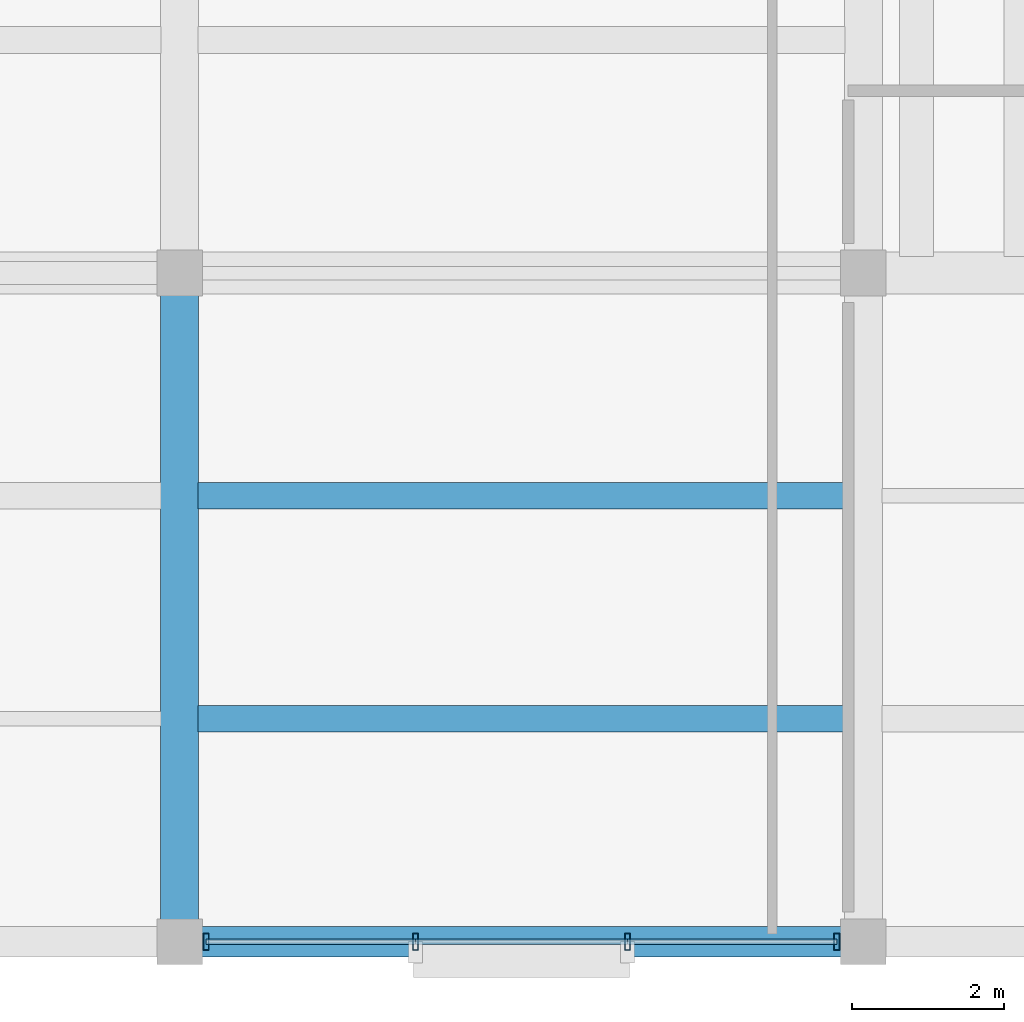
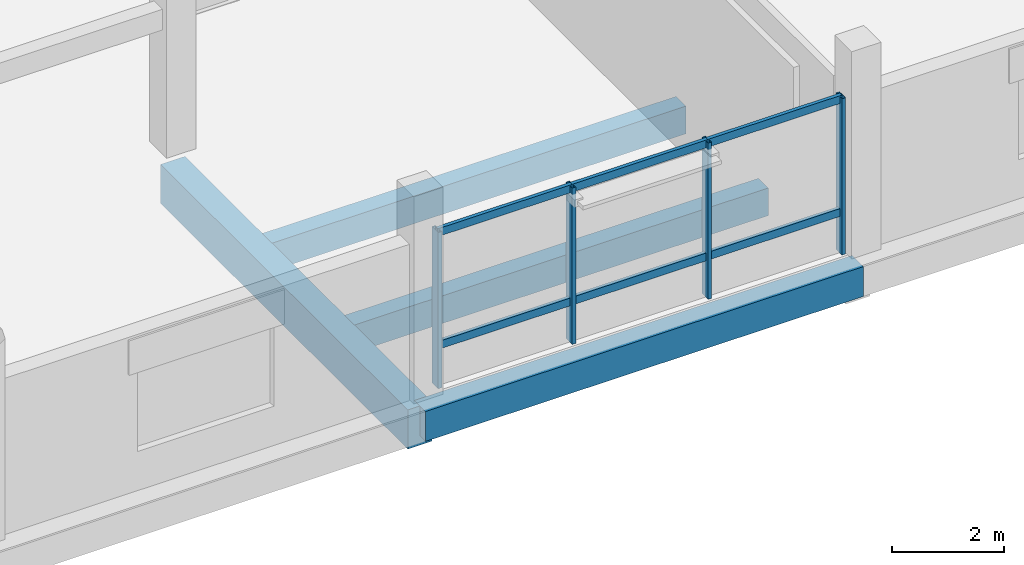
# One storey, part 26 of 77: 10 members, 4 beams, 1 element without a shape of its own.
"""IFC4 building model written with IfcOpenShell, lengths in metres."""

from ifc_helpers import new_model, si_unit, direction, frame, origin, origin_2d, place, context, subcontext, project, spatial, rectangle, hollow_rectangle, extrude, material, layer, layer_set, material_profile, profile_set, type_object, element, aggregate, save


model = new_model("IFC4")

# Units and contexts
model_context = context("Model", 3, precision=1e-05, world=origin(), true_north=direction((0.0, 1.0)))
body_context = subcontext(model_context, "Body", "Model", "MODEL_VIEW")
ifc_project = project(units=[si_unit("LENGTHUNIT", "METRE"), si_unit("AREAUNIT", "SQUARE_METRE"), si_unit("VOLUMEUNIT", "CUBIC_METRE"), si_unit("PLANEANGLEUNIT", "RADIAN"), si_unit("MASSUNIT", "GRAM", prefix="KILO")], contexts=[model_context])

# Site, building, storey
site_placement = place(None, origin())
site = spatial("IfcSite", under=ifc_project, at=site_placement, CompositionType="ELEMENT")
building_placement = place(site_placement, origin())
building = spatial("IfcBuilding", under=site, at=building_placement, Name="Meriwether Solvik Hall", CompositionType="ELEMENT")
storey_placement = place(building_placement, frame((0.0, 0.0, 9.89990234375)))
storey = spatial("IfcBuildingStorey", under=building, at=storey_placement, Name="L02", CompositionType="ELEMENT", Elevation=9.89990234375)

# Beams
ifc_material_1 = material(Name="Concrete C40/50", Category="concrete")
ifc_material_profile_1 = material_profile(ifc_material_1, rectangle(XDim=0.35009765625, YDim=0.60009765625, at=origin_2d()), Name="RCB-350X600")
ifc_profile_set_1 = profile_set([ifc_material_profile_1], Name="Concrete C40/50")
beam_type_1 = type_object("IfcBeamType", Name="BM-RC-350X600", PredefinedType="JOIST", material=ifc_profile_set_1)
for number, where, z_axis, x_axis, name in (
    (1, (87.044921875, 8.13330078125, -0.6298828125), (1.0, 0.0, 0.0), (0.0, 1.0, 0.0), "Secondary Floor Joist 10/A_J1 (L02)"),
    (2, (87.044921875, 11.066650390625, -0.6298828125), (1.0, 0.0, 0.0), (0.0, 1.0, 0.0), "Secondary Floor Joist 10/A_J2 (L02)"),
):
    element("IfcBeam", number, at=place(storey_placement, frame(where, z_axis=z_axis, x_axis=x_axis)), inside=storey, type_object=beam_type_1, Name=name, PredefinedType="JOIST", context=body_context, shape_type="SweptSolid", body=[
        extrude(rectangle(XDim=0.35009765625, YDim=0.60009765625, at=origin_2d()), origin(), (0.0, 0.0, 1.0), 8.510009765625),
    ])
ifc_material_2 = material(Name="Concrete C40/50", Category="concrete")
ifc_material_profile_2 = material_profile(ifc_material_2, rectangle(XDim=0.39990234375, YDim=0.64990234375, at=origin_2d()), Name="RCB-400X650")
ifc_profile_set_2 = profile_set([ifc_material_profile_2], Name="Concrete C40/50")
beam_type_2 = type_object("IfcBeamType", Name="BM-RC-400X650", PredefinedType="SPANDREL", material=ifc_profile_set_2)
beam_1_placement = place(storey_placement, frame((86.800048828125, 5.199951171875, -0.65478515625), z_axis=(1.0, 0.0, 0.0), x_axis=(0.0, 1.0, 0.0)))
element("IfcBeam", 3, at=beam_1_placement, inside=storey, type_object=beam_type_2, Name="Podium Girder A:10-11 (L02)", PredefinedType="SPANDREL", context=body_context, shape_type="SweptSolid", body=[
    extrude(rectangle(XDim=0.39990234375, YDim=0.64990234375, at=origin_2d()), origin(), (0.0, 0.0, 1.0), 9.0),
])
ifc_material_3 = material(Name="Concrete C40/50", Category="concrete")
ifc_material_profile_3 = material_profile(ifc_material_3, rectangle(XDim=0.5, YDim=0.85009765625, at=origin_2d()), Name="RCB-500X850")
ifc_profile_set_3 = profile_set([ifc_material_profile_3], Name="Concrete C40/50")
beam_type_3 = type_object("IfcBeamType", Name="BM-RC-500X850", PredefinedType="BEAM", material=ifc_profile_set_3)
beam_2_placement = place(storey_placement, frame((86.800048828125, 5.199951171875, -0.7548828125), z_axis=(0.0, 1.0, 0.0), x_axis=(-1.0, 0.0, 0.0)))
element("IfcBeam", 4, at=beam_2_placement, inside=storey, type_object=beam_type_3, Name="Podium Girder 10:A-B (L02)", PredefinedType="BEAM", context=body_context, shape_type="SweptSolid", body=[
    extrude(rectangle(XDim=0.5, YDim=0.85009765625, at=origin_2d()), origin(), (0.0, 0.0, 1.0), 8.800048828125),
])

# Curtain wall, members
ifc_material_4 = material(Name="Thermally Broken Anodised Aluminium 6063-T6 and Low-E Glass", Category="aluminium")
ifc_layer = layer(ifc_material_4, 0.179931640625)
ifc_layer_set = layer_set([ifc_layer], Name="Thermally Broken Anodised Aluminium 6063-T6 and Low-E Glass")
curtain_wall_type = type_object("IfcCurtainWallType", Name="CW-SF-POD-C", PredefinedType="USERDEFINED", material=ifc_layer_set)
curtain_wall_placement = place(storey_placement, origin())
curtain_wall = element("IfcCurtainWall", 5, at=curtain_wall_placement, inside=storey, type_object=curtain_wall_type, Name="Curtain Wall wing_XA_10_3 (L02)", ObjectType="STICK STOREFRONT GLAZING", PredefinedType="USERDEFINED")
ifc_material_5 = material(Name="Anodised Aluminium 6063-T6", Category="aluminium")
ifc_material_profile_4 = material_profile(ifc_material_5, hollow_rectangle(XDim=0.074951171875, YDim=0.219970703125, WallThickness=0.005615234375, at=origin_2d()), Name="CWM-75X220")
ifc_profile_set_4 = profile_set([ifc_material_profile_4], Name="Anodised Aluminium 6063-T6")
member_type_1 = type_object("IfcMemberType", Name="CW-MUL-75X220", PredefinedType="MULLION", material=ifc_profile_set_4)
member_1_placement = place(storey_placement, frame((95.449951171875, 5.199951171875, 0.0), z_axis=(0.0, 0.0, 1.0), x_axis=(-1.0, 0.0, 0.0)))
member_1 = element("IfcMember", 6, at=member_1_placement, type_object=member_type_1, Name="Curtain Wall Mullion 1", PredefinedType="MULLION", context=body_context, shape_type="SweptSolid", body=[
    extrude(hollow_rectangle(XDim=0.074951171875, YDim=0.219970703125, WallThickness=0.005615234375, at=origin_2d()), origin(), (0.0, 0.0, 1.0), 3.39501953125),
])
member_2_placement = place(storey_placement, frame((92.696044921875, 5.199951171875, 0.0), z_axis=(0.0, 0.0, 1.0), x_axis=(-1.0, 0.0, 0.0)))
member_2 = element("IfcMember", 7, at=member_2_placement, type_object=member_type_1, Name="Curtain Wall Mullion 2", PredefinedType="MULLION", context=body_context, shape_type="SweptSolid", body=[
    extrude(hollow_rectangle(XDim=0.074951171875, YDim=0.219970703125, WallThickness=0.005615234375, at=origin_2d()), origin(), (0.0, 0.0, 1.0), 3.39501953125),
])
member_3_placement = place(storey_placement, frame((89.904052734375, 5.199951171875, 0.0), z_axis=(0.0, 0.0, 1.0), x_axis=(-1.0, 0.0, 0.0)))
member_3 = element("IfcMember", 8, at=member_3_placement, type_object=member_type_1, Name="Curtain Wall Mullion 3", PredefinedType="MULLION", context=body_context, shape_type="SweptSolid", body=[
    extrude(hollow_rectangle(XDim=0.074951171875, YDim=0.219970703125, WallThickness=0.005615234375, at=origin_2d()), origin(), (0.0, 0.0, 1.0), 3.39501953125),
])
member_4_placement = place(storey_placement, frame((87.14990234375, 5.199951171875, 0.0), z_axis=(0.0, 0.0, 1.0), x_axis=(-1.0, 0.0, 0.0)))
member_4 = element("IfcMember", 9, at=member_4_placement, type_object=member_type_1, Name="Curtain Wall Mullion 4", PredefinedType="MULLION", context=body_context, shape_type="SweptSolid", body=[
    extrude(hollow_rectangle(XDim=0.074951171875, YDim=0.219970703125, WallThickness=0.005615234375, at=origin_2d()), origin(), (0.0, 0.0, 1.0), 3.39501953125),
])
ifc_material_6 = material(Name="Anodised Aluminium 6063-T6", Category="aluminium")
ifc_material_profile_5 = material_profile(ifc_material_6, hollow_rectangle(XDim=0.074951171875, YDim=0.169921875, WallThickness=0.005615234375, at=origin_2d()), Name="CWT-75X170")
ifc_profile_set_5 = profile_set([ifc_material_profile_5], Name="Anodised Aluminium 6063-T6")
member_type_2 = type_object("IfcMemberType", Name="CW-TRN-75X170", PredefinedType="USERDEFINED", material=ifc_profile_set_5)
member_5_placement = place(storey_placement, frame((95.449951171875, 5.199951171875, 0.880126953125), z_axis=(-1.0, 0.0, 0.0), x_axis=(0.0, -1.0, 0.0)))
member_5 = element("IfcMember", 10, at=member_5_placement, type_object=member_type_2, Name="Curtain Wall Transom 1-sill", ObjectType="TRANSOM", PredefinedType="USERDEFINED", context=body_context, shape_type="SweptSolid", body=[
    extrude(hollow_rectangle(XDim=0.074951171875, YDim=0.169921875, WallThickness=0.005615234375, at=origin_2d()), origin(), (0.0, 0.0, 1.0), 2.75390625),
])
member_6_placement = place(storey_placement, frame((95.449951171875, 5.199951171875, 3.335205078125), z_axis=(-1.0, 0.0, 0.0), x_axis=(0.0, -1.0, 0.0)))
member_6 = element("IfcMember", 11, at=member_6_placement, type_object=member_type_2, Name="Curtain Wall Transom 1-head", ObjectType="TRANSOM", PredefinedType="USERDEFINED", context=body_context, shape_type="SweptSolid", body=[
    extrude(hollow_rectangle(XDim=0.074951171875, YDim=0.169921875, WallThickness=0.005615234375, at=origin_2d()), origin(), (0.0, 0.0, 1.0), 2.75390625),
])
member_7_placement = place(storey_placement, frame((92.696044921875, 5.199951171875, 0.880126953125), z_axis=(-1.0, 0.0, 0.0), x_axis=(0.0, -1.0, 0.0)))
member_7 = element("IfcMember", 12, at=member_7_placement, type_object=member_type_2, Name="Curtain Wall Transom 2-sill", ObjectType="TRANSOM", PredefinedType="USERDEFINED", context=body_context, shape_type="SweptSolid", body=[
    extrude(hollow_rectangle(XDim=0.074951171875, YDim=0.169921875, WallThickness=0.005615234375, at=origin_2d()), origin(), (0.0, 0.0, 1.0), 2.7919921875),
])
member_8_placement = place(storey_placement, frame((92.696044921875, 5.199951171875, 3.335205078125), z_axis=(-1.0, 0.0, 0.0), x_axis=(0.0, -1.0, 0.0)))
member_8 = element("IfcMember", 13, at=member_8_placement, type_object=member_type_2, Name="Curtain Wall Transom 2-head", ObjectType="TRANSOM", PredefinedType="USERDEFINED", context=body_context, shape_type="SweptSolid", body=[
    extrude(hollow_rectangle(XDim=0.074951171875, YDim=0.169921875, WallThickness=0.005615234375, at=origin_2d()), origin(), (0.0, 0.0, 1.0), 2.7919921875),
])
member_9_placement = place(storey_placement, frame((89.904052734375, 5.199951171875, 0.880126953125), z_axis=(-1.0, 0.0, 0.0), x_axis=(0.0, -1.0, 0.0)))
member_9 = element("IfcMember", 14, at=member_9_placement, type_object=member_type_2, Name="Curtain Wall Transom 3-sill", ObjectType="TRANSOM", PredefinedType="USERDEFINED", context=body_context, shape_type="SweptSolid", body=[
    extrude(hollow_rectangle(XDim=0.074951171875, YDim=0.169921875, WallThickness=0.005615234375, at=origin_2d()), origin(), (0.0, 0.0, 1.0), 2.754150390625),
])
member_10_placement = place(storey_placement, frame((89.904052734375, 5.199951171875, 3.335205078125), z_axis=(-1.0, 0.0, 0.0), x_axis=(0.0, -1.0, 0.0)))
member_10 = element("IfcMember", 15, at=member_10_placement, type_object=member_type_2, Name="Curtain Wall Transom 3-head", ObjectType="TRANSOM", PredefinedType="USERDEFINED", context=body_context, shape_type="SweptSolid", body=[
    extrude(hollow_rectangle(XDim=0.074951171875, YDim=0.169921875, WallThickness=0.005615234375, at=origin_2d()), origin(), (0.0, 0.0, 1.0), 2.754150390625),
])
aggregate(curtain_wall, [member_1, member_2, member_3, member_4, member_5, member_6, member_7, member_8, member_9, member_10])

save(model, "model.ifc")
